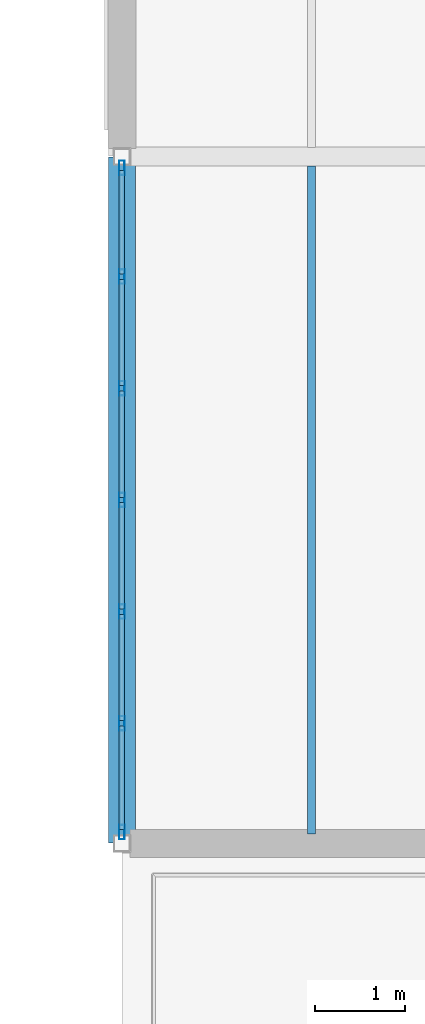
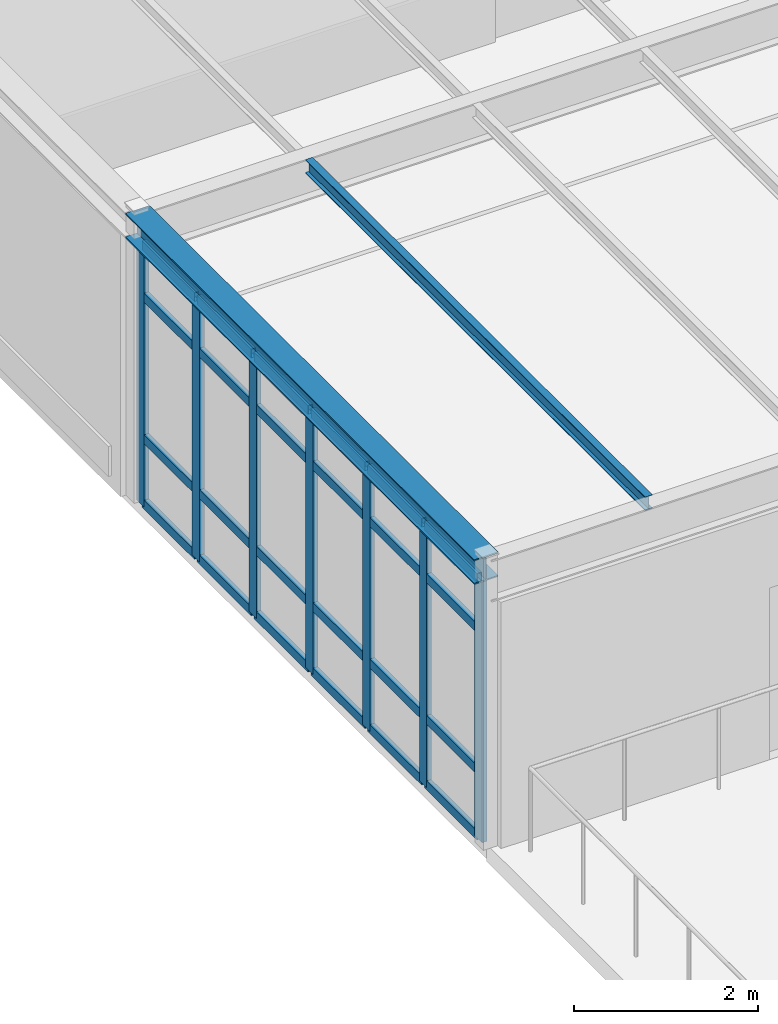
# One storey, part 14 of 65: 31 members, 2 beams, 1 element without a shape of its own.
"""IFC4 building model written with IfcOpenShell, lengths in metres."""

import ifcopenshell
import ifcopenshell.guid

model = None  # the IFC model being written
_history = None  # IfcOwnerHistory: only IFC2X3 demands one
_inside = {}  # id of a spatial element -> (the spatial element, [elements in it])
_under = {}  # id of a project, library or spatial element -> (it, [spatial elements below it])
_declared = {}  # id of a project -> (the project, [libraries it declares])
_typed = {}  # id of a type object -> (the type object, [elements of that type])
_made_of = {}  # id of a material, layer set ... -> (it, [elements and type objects made of it])


def new_model(schema):
    """Start an empty IFC model of exactly this schema.

    Asked for "IFC4X3", IfcOpenShell would pick the latest addendum, in which some entities
    have other attributes; the version numbers below select the first issue.
    IFC2X3 requires an IfcOwnerHistory on every rooted entity: one is made here for all.
    """
    global model, _history
    if schema == "IFC4X3":
        model = ifcopenshell.file(schema_version=(4, 3, 0, 0))
    else:
        model = ifcopenshell.file(schema=schema)
    _inside.clear()
    _under.clear()
    _declared.clear()
    _typed.clear()
    _made_of.clear()
    _history = None
    if model.schema == "IFC2X3":
        org = make("IfcOrganization", Name="unknown")
        user = make(
            "IfcPersonAndOrganization",
            ThePerson=make("IfcPerson", FamilyName="unknown"),
            TheOrganization=org,
        )
        app = make(
            "IfcApplication",
            ApplicationDeveloper=org,
            Version="unknown",
            ApplicationFullName="unknown",
            ApplicationIdentifier="unknown",
        )
        _history = make(
            "IfcOwnerHistory",
            OwningUser=user,
            OwningApplication=app,
            ChangeAction="ADDED",
            CreationDate=0,
        )
    return model


def make(cls, **values):
    """One entity of the class cls with the attributes given. An attribute that is None is left unset."""
    return model.create_entity(
        cls, **{name: value for name, value in values.items() if value is not None}
    )


def rooted(cls, **values):
    """An entity with a GlobalId (a new one), such as an element, a storey or a relation."""
    return make(cls, GlobalId=ifcopenshell.guid.new(), OwnerHistory=_history, **values)


def si_unit(unit_type, name, prefix=None):
    """IfcSIUnit, for example si_unit("LENGTHUNIT", "METRE", prefix="MILLI")."""
    return make("IfcSIUnit", UnitType=unit_type, Prefix=prefix, Name=name)


def assignment(units):
    """IfcUnitAssignment: the units of a project."""
    return None if units is None else make("IfcUnitAssignment", Units=units)


def point(xyz):
    """IfcCartesianPoint."""
    return None if xyz is None else make("IfcCartesianPoint", Coordinates=xyz)


def direction(xyz):
    """IfcDirection."""
    return None if xyz is None else make("IfcDirection", DirectionRatios=xyz)


def frame(location, z_axis=None, x_axis=None):
    """IfcAxis2Placement3D, a coordinate frame: its origin and axes. An axis left out is left unset."""
    return make(
        "IfcAxis2Placement3D",
        Location=point(location),
        Axis=direction(z_axis),
        RefDirection=direction(x_axis),
    )


def frame_2d(location, x_axis=None):
    """IfcAxis2Placement2D, a coordinate frame in the plane: its origin and x axis."""
    return make(
        "IfcAxis2Placement2D", Location=point(location), RefDirection=direction(x_axis)
    )


def origin():
    """The frame at (0, 0, 0) with its axes left unset."""
    return frame((0.0, 0.0, 0.0))


def origin_2d():
    """The frame at (0, 0) in the plane with its x axis left unset."""
    return frame_2d((0.0, 0.0))


def place(relative_to, where):
    """IfcLocalPlacement: puts the frame where relative to a parent placement (None: the world)."""
    return make(
        "IfcLocalPlacement", PlacementRelTo=relative_to, RelativePlacement=where
    )


def context(
    kind, dimensions, precision=None, world=None, true_north=None, identifier=None
):
    """IfcGeometricRepresentationContext, for example the 3D "Model" context."""
    return make(
        "IfcGeometricRepresentationContext",
        ContextIdentifier=identifier,
        ContextType=kind,
        CoordinateSpaceDimension=dimensions,
        Precision=precision,
        WorldCoordinateSystem=world,
        TrueNorth=true_north,
    )


def subcontext(parent, identifier, kind, view, scale=None):
    """IfcGeometricRepresentationSubContext, for example "Body" below "Model"."""
    return make(
        "IfcGeometricRepresentationSubContext",
        ContextIdentifier=identifier,
        ContextType=kind,
        ParentContext=parent,
        TargetScale=scale,
        TargetView=view,
    )


def project(units=None, contexts=None):
    """IfcProject with its units and contexts."""
    return rooted(
        "IfcProject",
        Name="project",
        RepresentationContexts=contexts,
        UnitsInContext=assignment(units),
    )


def spatial(cls, under=None, at=None, **own):
    """A site, building, storey or space (cls), placed at a placement, below another one or the project."""
    s = rooted(cls, ObjectPlacement=at, **own)
    if under is not None:
        _under.setdefault(under.id(), (under, []))[1].append(s)
    return s


def profile(cls, at=None, kind="AREA", **sizes):
    """A parametric profile (cls). Its sizes go by their IFC names, for example OverallWidth=200.0."""
    return make(cls, ProfileType=kind, Position=at, **sizes)


def hollow_rectangle(**sizes):
    """IfcRectangleHollowProfileDef."""
    return profile("IfcRectangleHollowProfileDef", **sizes)


def i_section(**sizes):
    """IfcIShapeProfileDef."""
    return profile("IfcIShapeProfileDef", **sizes)


def extrude(swept, where, along, depth):
    """IfcExtrudedAreaSolid: the profile swept, set in the frame where, extruded along a direction by depth."""
    return make(
        "IfcExtrudedAreaSolid",
        SweptArea=swept,
        Position=where,
        ExtrudedDirection=direction(along),
        Depth=depth,
    )


def shape(context_of_items, identifier, shape_type, items):
    """IfcShapeRepresentation: the items that make up one representation, for example the "Body"."""
    return make(
        "IfcShapeRepresentation",
        ContextOfItems=context_of_items,
        RepresentationIdentifier=identifier,
        RepresentationType=shape_type,
        Items=items,
    )


def material(Name=None, Category=None):
    """IfcMaterial."""
    return make("IfcMaterial", Name=Name, Category=Category)


def layer(
    of_material, thickness, ventilated=None, Name=None, Category=None, Priority=None
):
    """IfcMaterialLayer: one layer of a wall or slab, of a material (None: an air gap)."""
    return make(
        "IfcMaterialLayer",
        Material=of_material,
        LayerThickness=thickness,
        IsVentilated=ventilated,
        Name=Name,
        Category=Category,
        Priority=Priority,
    )


def layer_set(layers, Name=None):
    """IfcMaterialLayerSet."""
    return make("IfcMaterialLayerSet", MaterialLayers=layers, LayerSetName=Name)


def material_profile(
    of_material, cross_section, Name=None, Category=None, Priority=None
):
    """IfcMaterialProfile: a cross section and its material."""
    return make(
        "IfcMaterialProfile",
        Name=Name,
        Material=of_material,
        Profile=cross_section,
        Priority=Priority,
        Category=Category,
    )


def profile_set(profiles, Name=None, composite=None):
    """IfcMaterialProfileSet."""
    return make(
        "IfcMaterialProfileSet",
        Name=Name,
        MaterialProfiles=profiles,
        CompositeProfile=composite,
    )


def made_of(thing, what):
    """Note that an element or type object is made of a material, layer set ...; save() writes the relation."""
    if what is not None:
        _made_of.setdefault(what.id(), (what, []))[1].append(thing)
    return thing


def type_object(cls, material=None, **own):
    """A type object (cls), such as IfcWallType, which elements share."""
    return made_of(rooted(cls, **own), material)


def element(
    cls,
    number,
    at=None,
    inside=None,
    cuts=None,
    type_object=None,
    material=None,
    context=None,
    identifier="Body",
    shape_type=None,
    held_by="IfcProductDefinitionShape",
    body=None,
    shapes=None,
    **own,
):
    """One element of the class cls, such as IfcWall. Its Tag is "e" and its number.

    at: its placement. inside: the storey or other place that contains it. cuts: it is an
    opening in that element (IfcRelVoidsElement). A single representation is given by context,
    identifier, shape_type and body (its items); several are given by shapes. held_by: the class
    of the entity that holds the representations. save() writes the other relations.
    """
    e = rooted(cls, Tag="e%d" % number, ObjectPlacement=at, **own)
    if body is not None:
        shapes = [shape(context, identifier, shape_type, body)]
    if shapes is not None:
        e.Representation = make(held_by, Representations=shapes)
    if inside is not None:
        _inside.setdefault(inside.id(), (inside, []))[1].append(e)
    if cuts is not None:
        rooted(
            "IfcRelVoidsElement", RelatingBuildingElement=cuts, RelatedOpeningElement=e
        )
    if type_object is not None:
        _typed.setdefault(type_object.id(), (type_object, []))[1].append(e)
    return made_of(e, material)


def aggregate(whole, parts):
    """IfcRelAggregates: a whole, such as a stair, and the parts it consists of."""
    return rooted("IfcRelAggregates", RelatingObject=whole, RelatedObjects=parts)


def save(model, path):
    """Write the relations noted so far, then the file.

    IfcRelAggregates (storeys below a building ...), IfcRelContainedInSpatialStructure (elements
    in a storey), IfcRelDefinesByType, IfcRelAssociatesMaterial and IfcRelDeclares: one each for
    every whole, place, type object, material and project.
    """
    for whole, parts in _under.values():
        aggregate(whole, parts)
    for where, things in _inside.values():
        rooted(
            "IfcRelContainedInSpatialStructure",
            RelatedElements=things,
            RelatingStructure=where,
        )
    for kind, things in _typed.values():
        rooted("IfcRelDefinesByType", RelatedObjects=things, RelatingType=kind)
    for what, things in _made_of.values():
        rooted("IfcRelAssociatesMaterial", RelatedObjects=things, RelatingMaterial=what)
    for by, libraries in _declared.values():
        rooted("IfcRelDeclares", RelatingContext=by, RelatedDefinitions=libraries)
    model.write(path)


model = new_model("IFC4")

# Units and contexts
model_context = context("Model", 3, precision=1e-05, world=origin(), true_north=direction((0.0, 1.0)))
body_context = subcontext(model_context, "Body", "Model", "MODEL_VIEW")
ifc_project = project(units=[si_unit("LENGTHUNIT", "METRE"), si_unit("AREAUNIT", "SQUARE_METRE"), si_unit("VOLUMEUNIT", "CUBIC_METRE"), si_unit("PLANEANGLEUNIT", "RADIAN"), si_unit("MASSUNIT", "GRAM", prefix="KILO")], contexts=[model_context])

# Site, building, storey
site_placement = place(None, origin())
site = spatial("IfcSite", under=ifc_project, at=site_placement, CompositionType="ELEMENT")
building_placement = place(site_placement, origin())
building = spatial("IfcBuilding", under=site, at=building_placement, Name="Montecoro Central Library", CompositionType="ELEMENT")
storey_placement = place(building_placement, frame((0.0, 0.0, 17.340087890625)))
storey = spatial("IfcBuildingStorey", under=building, at=storey_placement, Name="L04", CompositionType="ELEMENT", Elevation=17.340087890625)

# Beams
ifc_material_1 = material(Name="Steel S355", Category="steel")
ifc_material_profile_1 = material_profile(ifc_material_1, i_section(OverallWidth=0.091064453125, OverallDepth=0.179931640625, WebThickness=0.00537109375, FlangeThickness=0.008056640625, at=origin_2d()), Name="IPE 180")
ifc_profile_set_1 = profile_set([ifc_material_profile_1], Name="Steel S355")
beam_type_1 = type_object("IfcBeamType", Name="BM-J-IPE180", PredefinedType="JOIST", material=ifc_profile_set_1)
beam_1_placement = place(storey_placement, frame((68.5, 96.302001953125, 3.73486328125), z_axis=(0.0, 1.0, 0.0), x_axis=(-1.0, 0.0, 0.0)))
element("IfcBeam", 1, at=beam_1_placement, inside=storey, type_object=beam_type_1, Name="V2-L04-JS-910-NP-1", PredefinedType="JOIST", context=body_context, shape_type="SweptSolid", body=[
    extrude(i_section(OverallWidth=0.091064453125, OverallDepth=0.179931640625, WebThickness=0.00537109375, FlangeThickness=0.008056640625, at=origin_2d()), origin(), (0.0, 0.0, 1.0), 7.39599609375),
])
ifc_material_profile_2 = material_profile(ifc_material_1, i_section(OverallWidth=0.300048828125, OverallDepth=0.330078125, WebThickness=0.009521484375, FlangeThickness=0.0166015625, at=origin_2d()), Name="HEA 340")
ifc_profile_set_2 = profile_set([ifc_material_profile_2], Name="Steel S355")
beam_type_2 = type_object("IfcBeamType", Name="BM-SP-HEA340", PredefinedType="SPANDREL", material=ifc_profile_set_2)
beam_2_placement = place(storey_placement, frame((66.39990234375, 96.205078125, 3.659912109375), z_axis=(0.0, 1.0, 0.0), x_axis=(-1.0, 0.0, 0.0)))
element("IfcBeam", 2, at=beam_2_placement, inside=storey, type_object=beam_type_2, Name="V2-L04-BY-9-NP", PredefinedType="SPANDREL", context=body_context, shape_type="SweptSolid", body=[
    extrude(i_section(OverallWidth=0.300048828125, OverallDepth=0.330078125, WebThickness=0.009521484375, FlangeThickness=0.0166015625, at=origin_2d()), origin(), (0.0, 0.0, 1.0), 7.58984375),
])

# Curtain wall, members
ifc_material_2 = material(Name="Bronze-anodised aluminium and low-E glazing", Category="aluminium")
ifc_layer = layer(ifc_material_2, 0.159912109375)
ifc_layer_set = layer_set([ifc_layer], Name="Bronze-anodised aluminium and low-E glazing")
curtain_wall_type = type_object("IfcCurtainWallType", Name="CWT-023", PredefinedType="NOTDEFINED", material=ifc_layer_set)
curtain_wall_placement = place(storey_placement, origin())
curtain_wall = element("IfcCurtainWall", 3, at=curtain_wall_placement, inside=storey, type_object=curtain_wall_type, Name="V2-L04-CW-W0", PredefinedType="NOTDEFINED")
ifc_material_3 = material(Name="Bronze-anodised aluminium", Category="aluminium")
ifc_material_profile_3 = material_profile(ifc_material_3, hollow_rectangle(XDim=0.06005859375, YDim=0.159912109375, WallThickness=0.00390625, at=origin_2d()), Name="CWM 160x60x4.0")
ifc_profile_set_3 = profile_set([ifc_material_profile_3], Name="Bronze-anodised aluminium")
member_type_1 = type_object("IfcMemberType", Name="CWM-BRZ-60", PredefinedType="MULLION", material=ifc_profile_set_3)
member_1_placement = place(storey_placement, frame((66.39990234375, 103.677001953125, 0.0), z_axis=(0.0, 0.0, 1.0), x_axis=(1.0, 0.0, 0.0)))
member_1 = element("IfcMember", 4, at=member_1_placement, type_object=member_type_1, Name="CW-023 mullion 1", PredefinedType="MULLION", context=body_context, shape_type="SweptSolid", body=[
    extrude(hollow_rectangle(XDim=0.06005859375, YDim=0.159912109375, WallThickness=0.00390625, at=origin_2d()), origin(), (0.0, 0.0, 1.0), 3.47998046875),
])
member_2_placement = place(storey_placement, frame((66.39990234375, 102.471435546875, 0.0), z_axis=(0.0, 0.0, 1.0), x_axis=(1.0, 0.0, 0.0)))
member_2 = element("IfcMember", 5, at=member_2_placement, type_object=member_type_1, Name="CW-023 mullion 2", PredefinedType="MULLION", context=body_context, shape_type="SweptSolid", body=[
    extrude(hollow_rectangle(XDim=0.06005859375, YDim=0.159912109375, WallThickness=0.00390625, at=origin_2d()), origin(), (0.0, 0.0, 1.0), 3.47998046875),
])
member_3_placement = place(storey_placement, frame((66.39990234375, 101.235595703125, 0.0), z_axis=(0.0, 0.0, 1.0), x_axis=(1.0, 0.0, 0.0)))
member_3 = element("IfcMember", 6, at=member_3_placement, type_object=member_type_1, Name="CW-023 mullion 3", PredefinedType="MULLION", context=body_context, shape_type="SweptSolid", body=[
    extrude(hollow_rectangle(XDim=0.06005859375, YDim=0.159912109375, WallThickness=0.00390625, at=origin_2d()), origin(), (0.0, 0.0, 1.0), 3.47998046875),
])
member_4_placement = place(storey_placement, frame((66.39990234375, 100.0, 0.0), z_axis=(0.0, 0.0, 1.0), x_axis=(1.0, 0.0, 0.0)))
member_4 = element("IfcMember", 7, at=member_4_placement, type_object=member_type_1, Name="CW-023 mullion 4", PredefinedType="MULLION", context=body_context, shape_type="SweptSolid", body=[
    extrude(hollow_rectangle(XDim=0.06005859375, YDim=0.159912109375, WallThickness=0.00390625, at=origin_2d()), origin(), (0.0, 0.0, 1.0), 3.47998046875),
])
member_5_placement = place(storey_placement, frame((66.39990234375, 98.764404296875, 0.0), z_axis=(0.0, 0.0, 1.0), x_axis=(1.0, 0.0, 0.0)))
member_5 = element("IfcMember", 8, at=member_5_placement, type_object=member_type_1, Name="CW-023 mullion 5", PredefinedType="MULLION", context=body_context, shape_type="SweptSolid", body=[
    extrude(hollow_rectangle(XDim=0.06005859375, YDim=0.159912109375, WallThickness=0.00390625, at=origin_2d()), origin(), (0.0, 0.0, 1.0), 3.47998046875),
])
member_6_placement = place(storey_placement, frame((66.39990234375, 97.528564453125, 0.0), z_axis=(0.0, 0.0, 1.0), x_axis=(1.0, 0.0, 0.0)))
member_6 = element("IfcMember", 9, at=member_6_placement, type_object=member_type_1, Name="CW-023 mullion 6", PredefinedType="MULLION", context=body_context, shape_type="SweptSolid", body=[
    extrude(hollow_rectangle(XDim=0.06005859375, YDim=0.159912109375, WallThickness=0.00390625, at=origin_2d()), origin(), (0.0, 0.0, 1.0), 3.47998046875),
])
member_7_placement = place(storey_placement, frame((66.39990234375, 96.322998046875, 0.0), z_axis=(0.0, 0.0, 1.0), x_axis=(1.0, 0.0, 0.0)))
member_7 = element("IfcMember", 10, at=member_7_placement, type_object=member_type_1, Name="CW-023 mullion 7", PredefinedType="MULLION", context=body_context, shape_type="SweptSolid", body=[
    extrude(hollow_rectangle(XDim=0.06005859375, YDim=0.159912109375, WallThickness=0.00390625, at=origin_2d()), origin(), (0.0, 0.0, 1.0), 3.47998046875),
])
ifc_material_profile_4 = material_profile(ifc_material_3, hollow_rectangle(XDim=0.06005859375, YDim=0.1201171875, WallThickness=0.00390625, at=origin_2d()), Name="CWT 120x60x4.0")
ifc_profile_set_4 = profile_set([ifc_material_profile_4], Name="Bronze-anodised aluminium")
member_type_2 = type_object("IfcMemberType", Name="CWT-BRZ-60", PredefinedType="USERDEFINED", material=ifc_profile_set_4)
member_8_placement = place(storey_placement, frame((66.39990234375, 103.64697265625, 0.030029296875), z_axis=(0.0, -1.0, 0.0), x_axis=(1.0, 0.0, 0.0)))
member_8 = element("IfcMember", 11, at=member_8_placement, type_object=member_type_2, Name="CW-023 transom 1.1", ObjectType="TRANSOM", PredefinedType="USERDEFINED", context=body_context, shape_type="SweptSolid", body=[
    extrude(hollow_rectangle(XDim=0.06005859375, YDim=0.1201171875, WallThickness=0.00390625, at=origin_2d()), origin(), (0.0, 0.0, 1.0), 1.145751953125),
])
member_9_placement = place(storey_placement, frame((66.39990234375, 103.64697265625, 0.89990234375), z_axis=(0.0, -1.0, 0.0), x_axis=(1.0, 0.0, 0.0)))
member_9 = element("IfcMember", 12, at=member_9_placement, type_object=member_type_2, Name="CW-023 transom 1.2", ObjectType="TRANSOM", PredefinedType="USERDEFINED", context=body_context, shape_type="SweptSolid", body=[
    extrude(hollow_rectangle(XDim=0.06005859375, YDim=0.1201171875, WallThickness=0.00390625, at=origin_2d()), origin(), (0.0, 0.0, 1.0), 1.145751953125),
])
member_10_placement = place(storey_placement, frame((66.39990234375, 103.64697265625, 2.780029296875), z_axis=(0.0, -1.0, 0.0), x_axis=(1.0, 0.0, 0.0)))
member_10 = element("IfcMember", 13, at=member_10_placement, type_object=member_type_2, Name="CW-023 transom 1.3", ObjectType="TRANSOM", PredefinedType="USERDEFINED", context=body_context, shape_type="SweptSolid", body=[
    extrude(hollow_rectangle(XDim=0.06005859375, YDim=0.1201171875, WallThickness=0.00390625, at=origin_2d()), origin(), (0.0, 0.0, 1.0), 1.145751953125),
])
member_11_placement = place(storey_placement, frame((66.39990234375, 103.64697265625, 3.449951171875), z_axis=(0.0, -1.0, 0.0), x_axis=(1.0, 0.0, 0.0)))
member_11 = element("IfcMember", 14, at=member_11_placement, type_object=member_type_2, Name="CW-023 transom 1.4", ObjectType="TRANSOM", PredefinedType="USERDEFINED", context=body_context, shape_type="SweptSolid", body=[
    extrude(hollow_rectangle(XDim=0.06005859375, YDim=0.1201171875, WallThickness=0.00390625, at=origin_2d()), origin(), (0.0, 0.0, 1.0), 1.145751953125),
])
member_12_placement = place(storey_placement, frame((66.39990234375, 102.44140625, 0.030029296875), z_axis=(0.0, -1.0, 0.0), x_axis=(1.0, 0.0, 0.0)))
member_12 = element("IfcMember", 15, at=member_12_placement, type_object=member_type_2, Name="CW-023 transom 2.1", ObjectType="TRANSOM", PredefinedType="USERDEFINED", context=body_context, shape_type="SweptSolid", body=[
    extrude(hollow_rectangle(XDim=0.06005859375, YDim=0.1201171875, WallThickness=0.00390625, at=origin_2d()), origin(), (0.0, 0.0, 1.0), 1.17578125),
])
member_13_placement = place(storey_placement, frame((66.39990234375, 102.44140625, 0.89990234375), z_axis=(0.0, -1.0, 0.0), x_axis=(1.0, 0.0, 0.0)))
member_13 = element("IfcMember", 16, at=member_13_placement, type_object=member_type_2, Name="CW-023 transom 2.2", ObjectType="TRANSOM", PredefinedType="USERDEFINED", context=body_context, shape_type="SweptSolid", body=[
    extrude(hollow_rectangle(XDim=0.06005859375, YDim=0.1201171875, WallThickness=0.00390625, at=origin_2d()), origin(), (0.0, 0.0, 1.0), 1.17578125),
])
member_14_placement = place(storey_placement, frame((66.39990234375, 102.44140625, 2.780029296875), z_axis=(0.0, -1.0, 0.0), x_axis=(1.0, 0.0, 0.0)))
member_14 = element("IfcMember", 17, at=member_14_placement, type_object=member_type_2, Name="CW-023 transom 2.3", ObjectType="TRANSOM", PredefinedType="USERDEFINED", context=body_context, shape_type="SweptSolid", body=[
    extrude(hollow_rectangle(XDim=0.06005859375, YDim=0.1201171875, WallThickness=0.00390625, at=origin_2d()), origin(), (0.0, 0.0, 1.0), 1.17578125),
])
member_15_placement = place(storey_placement, frame((66.39990234375, 102.44140625, 3.449951171875), z_axis=(0.0, -1.0, 0.0), x_axis=(1.0, 0.0, 0.0)))
member_15 = element("IfcMember", 18, at=member_15_placement, type_object=member_type_2, Name="CW-023 transom 2.4", ObjectType="TRANSOM", PredefinedType="USERDEFINED", context=body_context, shape_type="SweptSolid", body=[
    extrude(hollow_rectangle(XDim=0.06005859375, YDim=0.1201171875, WallThickness=0.00390625, at=origin_2d()), origin(), (0.0, 0.0, 1.0), 1.17578125),
])
member_16_placement = place(storey_placement, frame((66.39990234375, 101.20556640625, 0.030029296875), z_axis=(0.0, -1.0, 0.0), x_axis=(1.0, 0.0, 0.0)))
member_16 = element("IfcMember", 19, at=member_16_placement, type_object=member_type_2, Name="CW-023 transom 3.1", ObjectType="TRANSOM", PredefinedType="USERDEFINED", context=body_context, shape_type="SweptSolid", body=[
    extrude(hollow_rectangle(XDim=0.06005859375, YDim=0.1201171875, WallThickness=0.00390625, at=origin_2d()), origin(), (0.0, 0.0, 1.0), 1.175537109375),
])
member_17_placement = place(storey_placement, frame((66.39990234375, 101.20556640625, 0.89990234375), z_axis=(0.0, -1.0, 0.0), x_axis=(1.0, 0.0, 0.0)))
member_17 = element("IfcMember", 20, at=member_17_placement, type_object=member_type_2, Name="CW-023 transom 3.2", ObjectType="TRANSOM", PredefinedType="USERDEFINED", context=body_context, shape_type="SweptSolid", body=[
    extrude(hollow_rectangle(XDim=0.06005859375, YDim=0.1201171875, WallThickness=0.00390625, at=origin_2d()), origin(), (0.0, 0.0, 1.0), 1.175537109375),
])
member_18_placement = place(storey_placement, frame((66.39990234375, 101.20556640625, 2.780029296875), z_axis=(0.0, -1.0, 0.0), x_axis=(1.0, 0.0, 0.0)))
member_18 = element("IfcMember", 21, at=member_18_placement, type_object=member_type_2, Name="CW-023 transom 3.3", ObjectType="TRANSOM", PredefinedType="USERDEFINED", context=body_context, shape_type="SweptSolid", body=[
    extrude(hollow_rectangle(XDim=0.06005859375, YDim=0.1201171875, WallThickness=0.00390625, at=origin_2d()), origin(), (0.0, 0.0, 1.0), 1.175537109375),
])
member_19_placement = place(storey_placement, frame((66.39990234375, 101.20556640625, 3.449951171875), z_axis=(0.0, -1.0, 0.0), x_axis=(1.0, 0.0, 0.0)))
member_19 = element("IfcMember", 22, at=member_19_placement, type_object=member_type_2, Name="CW-023 transom 3.4", ObjectType="TRANSOM", PredefinedType="USERDEFINED", context=body_context, shape_type="SweptSolid", body=[
    extrude(hollow_rectangle(XDim=0.06005859375, YDim=0.1201171875, WallThickness=0.00390625, at=origin_2d()), origin(), (0.0, 0.0, 1.0), 1.175537109375),
])
member_20_placement = place(storey_placement, frame((66.39990234375, 99.969970703125, 0.030029296875), z_axis=(0.0, -1.0, 0.0), x_axis=(1.0, 0.0, 0.0)))
member_20 = element("IfcMember", 23, at=member_20_placement, type_object=member_type_2, Name="CW-023 transom 4.1", ObjectType="TRANSOM", PredefinedType="USERDEFINED", context=body_context, shape_type="SweptSolid", body=[
    extrude(hollow_rectangle(XDim=0.06005859375, YDim=0.1201171875, WallThickness=0.00390625, at=origin_2d()), origin(), (0.0, 0.0, 1.0), 1.175537109375),
])
member_21_placement = place(storey_placement, frame((66.39990234375, 99.969970703125, 0.89990234375), z_axis=(0.0, -1.0, 0.0), x_axis=(1.0, 0.0, 0.0)))
member_21 = element("IfcMember", 24, at=member_21_placement, type_object=member_type_2, Name="CW-023 transom 4.2", ObjectType="TRANSOM", PredefinedType="USERDEFINED", context=body_context, shape_type="SweptSolid", body=[
    extrude(hollow_rectangle(XDim=0.06005859375, YDim=0.1201171875, WallThickness=0.00390625, at=origin_2d()), origin(), (0.0, 0.0, 1.0), 1.175537109375),
])
member_22_placement = place(storey_placement, frame((66.39990234375, 99.969970703125, 2.780029296875), z_axis=(0.0, -1.0, 0.0), x_axis=(1.0, 0.0, 0.0)))
member_22 = element("IfcMember", 25, at=member_22_placement, type_object=member_type_2, Name="CW-023 transom 4.3", ObjectType="TRANSOM", PredefinedType="USERDEFINED", context=body_context, shape_type="SweptSolid", body=[
    extrude(hollow_rectangle(XDim=0.06005859375, YDim=0.1201171875, WallThickness=0.00390625, at=origin_2d()), origin(), (0.0, 0.0, 1.0), 1.175537109375),
])
member_23_placement = place(storey_placement, frame((66.39990234375, 99.969970703125, 3.449951171875), z_axis=(0.0, -1.0, 0.0), x_axis=(1.0, 0.0, 0.0)))
member_23 = element("IfcMember", 26, at=member_23_placement, type_object=member_type_2, Name="CW-023 transom 4.4", ObjectType="TRANSOM", PredefinedType="USERDEFINED", context=body_context, shape_type="SweptSolid", body=[
    extrude(hollow_rectangle(XDim=0.06005859375, YDim=0.1201171875, WallThickness=0.00390625, at=origin_2d()), origin(), (0.0, 0.0, 1.0), 1.175537109375),
])
member_24_placement = place(storey_placement, frame((66.39990234375, 98.734375, 0.030029296875), z_axis=(0.0, -1.0, 0.0), x_axis=(1.0, 0.0, 0.0)))
member_24 = element("IfcMember", 27, at=member_24_placement, type_object=member_type_2, Name="CW-023 transom 5.1", ObjectType="TRANSOM", PredefinedType="USERDEFINED", context=body_context, shape_type="SweptSolid", body=[
    extrude(hollow_rectangle(XDim=0.06005859375, YDim=0.1201171875, WallThickness=0.00390625, at=origin_2d()), origin(), (0.0, 0.0, 1.0), 1.17578125),
])
member_25_placement = place(storey_placement, frame((66.39990234375, 98.734375, 0.89990234375), z_axis=(0.0, -1.0, 0.0), x_axis=(1.0, 0.0, 0.0)))
member_25 = element("IfcMember", 28, at=member_25_placement, type_object=member_type_2, Name="CW-023 transom 5.2", ObjectType="TRANSOM", PredefinedType="USERDEFINED", context=body_context, shape_type="SweptSolid", body=[
    extrude(hollow_rectangle(XDim=0.06005859375, YDim=0.1201171875, WallThickness=0.00390625, at=origin_2d()), origin(), (0.0, 0.0, 1.0), 1.17578125),
])
member_26_placement = place(storey_placement, frame((66.39990234375, 98.734375, 2.780029296875), z_axis=(0.0, -1.0, 0.0), x_axis=(1.0, 0.0, 0.0)))
member_26 = element("IfcMember", 29, at=member_26_placement, type_object=member_type_2, Name="CW-023 transom 5.3", ObjectType="TRANSOM", PredefinedType="USERDEFINED", context=body_context, shape_type="SweptSolid", body=[
    extrude(hollow_rectangle(XDim=0.06005859375, YDim=0.1201171875, WallThickness=0.00390625, at=origin_2d()), origin(), (0.0, 0.0, 1.0), 1.17578125),
])
member_27_placement = place(storey_placement, frame((66.39990234375, 98.734375, 3.449951171875), z_axis=(0.0, -1.0, 0.0), x_axis=(1.0, 0.0, 0.0)))
member_27 = element("IfcMember", 30, at=member_27_placement, type_object=member_type_2, Name="CW-023 transom 5.4", ObjectType="TRANSOM", PredefinedType="USERDEFINED", context=body_context, shape_type="SweptSolid", body=[
    extrude(hollow_rectangle(XDim=0.06005859375, YDim=0.1201171875, WallThickness=0.00390625, at=origin_2d()), origin(), (0.0, 0.0, 1.0), 1.17578125),
])
member_28_placement = place(storey_placement, frame((66.39990234375, 97.498779296875, 0.030029296875), z_axis=(0.0, -1.0, 0.0), x_axis=(1.0, 0.0, 0.0)))
member_28 = element("IfcMember", 31, at=member_28_placement, type_object=member_type_2, Name="CW-023 transom 6.1", ObjectType="TRANSOM", PredefinedType="USERDEFINED", context=body_context, shape_type="SweptSolid", body=[
    extrude(hollow_rectangle(XDim=0.06005859375, YDim=0.1201171875, WallThickness=0.00390625, at=origin_2d()), origin(), (0.0, 0.0, 1.0), 1.145751953125),
])
member_29_placement = place(storey_placement, frame((66.39990234375, 97.498779296875, 0.89990234375), z_axis=(0.0, -1.0, 0.0), x_axis=(1.0, 0.0, 0.0)))
member_29 = element("IfcMember", 32, at=member_29_placement, type_object=member_type_2, Name="CW-023 transom 6.2", ObjectType="TRANSOM", PredefinedType="USERDEFINED", context=body_context, shape_type="SweptSolid", body=[
    extrude(hollow_rectangle(XDim=0.06005859375, YDim=0.1201171875, WallThickness=0.00390625, at=origin_2d()), origin(), (0.0, 0.0, 1.0), 1.145751953125),
])
member_30_placement = place(storey_placement, frame((66.39990234375, 97.498779296875, 2.780029296875), z_axis=(0.0, -1.0, 0.0), x_axis=(1.0, 0.0, 0.0)))
member_30 = element("IfcMember", 33, at=member_30_placement, type_object=member_type_2, Name="CW-023 transom 6.3", ObjectType="TRANSOM", PredefinedType="USERDEFINED", context=body_context, shape_type="SweptSolid", body=[
    extrude(hollow_rectangle(XDim=0.06005859375, YDim=0.1201171875, WallThickness=0.00390625, at=origin_2d()), origin(), (0.0, 0.0, 1.0), 1.145751953125),
])
member_31_placement = place(storey_placement, frame((66.39990234375, 97.498779296875, 3.449951171875), z_axis=(0.0, -1.0, 0.0), x_axis=(1.0, 0.0, 0.0)))
member_31 = element("IfcMember", 34, at=member_31_placement, type_object=member_type_2, Name="CW-023 transom 6.4", ObjectType="TRANSOM", PredefinedType="USERDEFINED", context=body_context, shape_type="SweptSolid", body=[
    extrude(hollow_rectangle(XDim=0.06005859375, YDim=0.1201171875, WallThickness=0.00390625, at=origin_2d()), origin(), (0.0, 0.0, 1.0), 1.145751953125),
])
aggregate(curtain_wall, [member_1, member_2, member_3, member_4, member_5, member_6, member_7, member_8, member_9, member_10, member_11, member_12, member_13, member_14, member_15, member_16, member_17, member_18, member_19, member_20, member_21, member_22, member_23, member_24, member_25, member_26, member_27, member_28, member_29, member_30, member_31])

save(model, "model.ifc")
